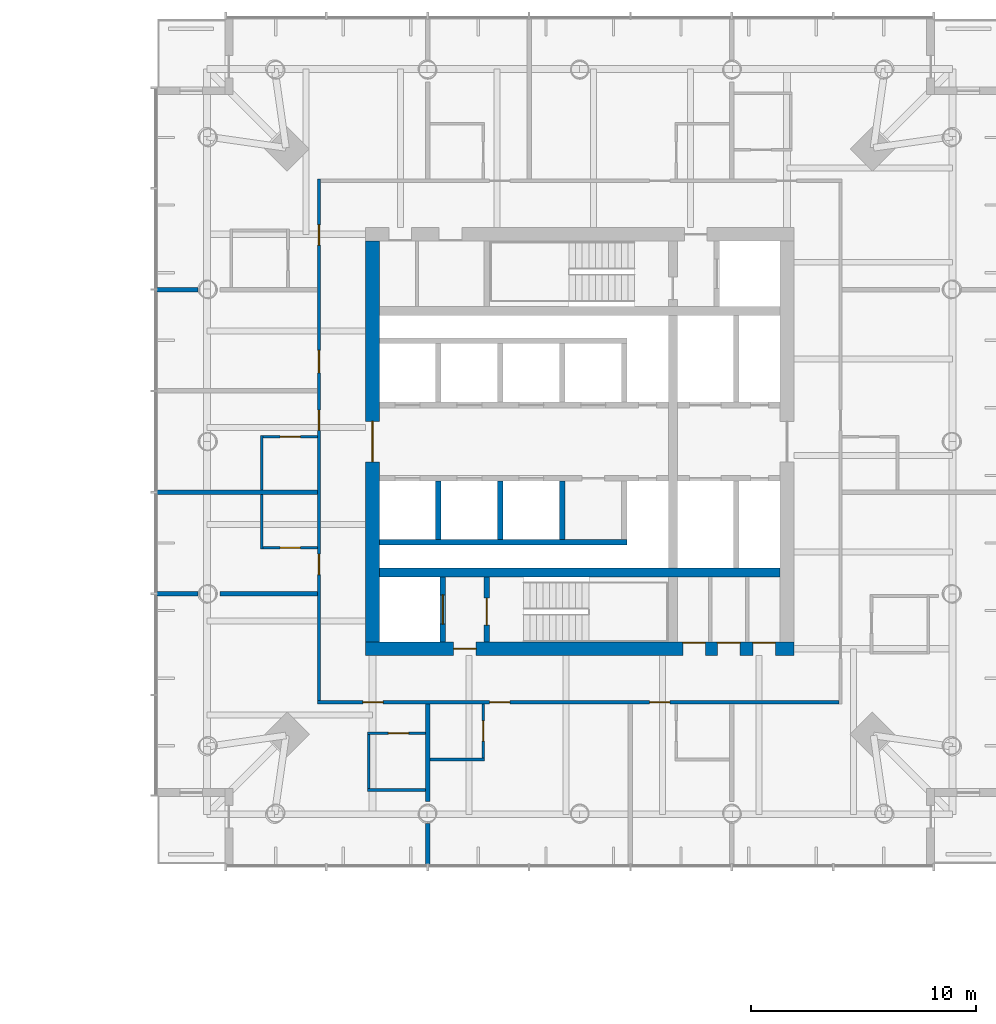
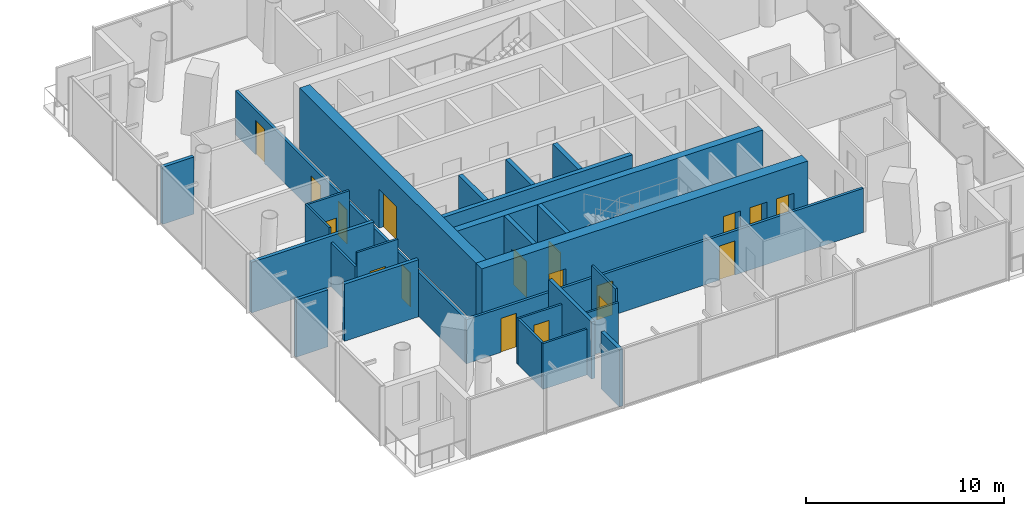
# One storey, part 16 of 24: 26 walls, 18 doors, 18 openings.
"""IFC4 building model written with IfcOpenShell, lengths in metres."""

from ifc_helpers import new_model, si_unit, direction, frame, frame_2d, origin, place, context, subcontext, project, spatial, rectangle, extrude, material, layer, layer_set, type_object, element, fill, save


model = new_model("IFC4")

# Units and contexts
model_context = context("Model", 3, precision=1e-05, world=origin(), true_north=direction((0.0, 1.0)))
body_context = subcontext(model_context, "Body", "Model", "MODEL_VIEW")
ifc_project = project(units=[si_unit("LENGTHUNIT", "METRE"), si_unit("AREAUNIT", "SQUARE_METRE"), si_unit("VOLUMEUNIT", "CUBIC_METRE"), si_unit("PLANEANGLEUNIT", "RADIAN"), si_unit("MASSUNIT", "GRAM", prefix="KILO")], contexts=[model_context])

# Site, building, storey
site_placement = place(None, origin())
site = spatial("IfcSite", under=ifc_project, at=site_placement, CompositionType="ELEMENT")
building_placement = place(site_placement, origin())
building = spatial("IfcBuilding", under=site, at=building_placement, Name="Ostroluk Exchange", CompositionType="ELEMENT")
storey_placement = place(building_placement, frame((0.0, 0.0, 78.0)))
storey = spatial("IfcBuildingStorey", under=building, at=storey_placement, Name="L19", CompositionType="ELEMENT", Elevation=78.0)

# Wall
ifc_material_1 = material(Name="Concrete C50/60", Category="concrete")
ifc_layer_1 = layer(ifc_material_1, 0.39990234375)
ifc_layer_set_1 = layer_set([ifc_layer_1], Name="Core cross wall 400 C50/60")
wall_type_1 = type_object("IfcWallType", Name="Core cross wall 400 C50/60", PredefinedType="SHEAR", material=ifc_layer_set_1)
wall_1_placement = place(storey_placement, frame((108.10009765625, 40.199951171875, 0.0), z_axis=(0.0, 0.0, 1.0), x_axis=(1.0, 0.0, 0.0)))
element("IfcWall", 1, at=wall_1_placement, inside=storey, type_object=wall_type_1, Name="T2 core wall XS", PredefinedType="SHEAR", context=body_context, shape_type="SweptSolid", body=[
    extrude(rectangle(XDim=17.7998046875, YDim=0.39990234375, at=frame_2d((8.89990234375, 0.0))), origin(), (0.0, 0.0, 1.0), 3.800048828125),
])

# Wall, opening, door
ifc_material_2 = material(Name="Concrete C40/50", Category="concrete")
ifc_layer_2 = layer(ifc_material_2, 0.25)
ifc_layer_set_2 = layer_set([ifc_layer_2], Name="Core shaft wall 250")
wall_type_2 = type_object("IfcWallType", Name="Core shaft wall 250", PredefinedType="SHEAR", material=ifc_layer_set_2)
wall_2_placement = place(storey_placement, frame((110.925048828125, 37.10009765625, 0.0), z_axis=(0.0, 0.0, 1.0), x_axis=(0.0, 1.0, 0.0)))
wall_2 = element("IfcWall", 2, at=wall_2_placement, inside=storey, type_object=wall_type_2, Name="Firefighting lift shaft wall", PredefinedType="SHEAR", context=body_context, shape_type="SweptSolid", body=[
    extrude(rectangle(XDim=2.89990234375, YDim=0.25, at=frame_2d((1.449951171875, 0.0))), origin(), (0.0, 0.0, 1.0), 3.800048828125),
])
opening_1_placement = place(wall_2_placement, frame((0.800048828125, 0.0, 0.0)))
opening_1 = element("IfcOpeningElement", 3, at=opening_1_placement, cuts=wall_2, Name="Opening LD2", PredefinedType="OPENING", context=body_context, shape_type="SweptSolid", body=[
    extrude(rectangle(XDim=1.300048828125, YDim=2.199951171875, at=frame_2d((0.64990234375, 1.10009765625))), frame((0.0, 0.135009765625, 0.0), z_axis=(0.0, -1.0, 0.0), x_axis=(1.0, 0.0, 0.0)), (0.0, 0.0, 1.0), 0.27001953125),
])
ifc_material_3 = material(Name="Stainless steel", Category="steel")
door_type_1 = type_object("IfcDoorType", Name="Lift landing door E 60 1300 x 2200", OperationType="DOUBLE_DOOR_SLIDING", PredefinedType="DOOR", material=ifc_material_3)
door_1_placement = place(opening_1_placement, origin())
door_1 = element("IfcDoor", 4, at=door_1_placement, inside=storey, type_object=door_type_1, Name="Lift HF1 landing door", OperationType="DOUBLE_DOOR_SLIDING", OverallHeight=2.199951171875, OverallWidth=1.300048828125, PredefinedType="DOOR", context=body_context, shape_type="SweptSolid", body=[
    extrude(rectangle(XDim=1.300048828125, YDim=2.199951171875, at=frame_2d((0.64990234375, 1.10009765625))), frame((0.0, 0.02490234375, 0.0), z_axis=(0.0, -1.0, 0.0), x_axis=(1.0, 0.0, 0.0)), (0.0, 0.0, 1.0), 0.050048828125),
])
fill(opening_1, door_1)

wall_3_placement = place(storey_placement, frame((112.875, 37.10009765625, 0.0), z_axis=(0.0, 0.0, 1.0), x_axis=(0.0, 1.0, 0.0)))
wall_3 = element("IfcWall", 5, at=wall_3_placement, inside=storey, type_object=wall_type_2, Name="Stair shaft wall", PredefinedType="SHEAR", context=body_context, shape_type="SweptSolid", body=[
    extrude(rectangle(XDim=2.89990234375, YDim=0.25, at=frame_2d((1.449951171875, 0.0))), origin(), (0.0, 0.0, 1.0), 3.800048828125),
])
opening_2_placement = place(wall_3_placement, frame((0.75, 0.0, 0.0)))
opening_2 = element("IfcOpeningElement", 6, at=opening_2_placement, cuts=wall_3, Name="Opening FD60S", PredefinedType="OPENING", context=body_context, shape_type="SweptSolid", body=[
    extrude(rectangle(XDim=1.199951171875, YDim=2.10009765625, at=frame_2d((0.60009765625, 1.050048828125))), frame((0.0, 0.135009765625, 0.0), z_axis=(0.0, -1.0, 0.0), x_axis=(1.0, 0.0, 0.0)), (0.0, 0.0, 1.0), 0.27001953125),
])
ifc_material_4 = material(Name="Steel", Category="steel")
door_type_2 = type_object("IfcDoorType", Name="Stair door EI 60 1200 x 2100", OperationType="SINGLE_SWING_LEFT", PredefinedType="DOOR", material=ifc_material_4)
door_2_placement = place(opening_2_placement, origin())
door_2 = element("IfcDoor", 7, at=door_2_placement, inside=storey, type_object=door_type_2, Name="Stair T2-S1 door", OperationType="SINGLE_SWING_LEFT", OverallHeight=2.10009765625, OverallWidth=1.199951171875, PredefinedType="DOOR", context=body_context, shape_type="SweptSolid", body=[
    extrude(rectangle(XDim=1.199951171875, YDim=2.10009765625, at=frame_2d((0.60009765625, 1.050048828125))), frame((0.0, 0.02490234375, 0.0), z_axis=(0.0, -1.0, 0.0), x_axis=(1.0, 0.0, 0.0)), (0.0, 0.0, 1.0), 0.050048828125),
])
fill(opening_2, door_2)

# Walls
for number, where, z_axis, x_axis, name in (
    (8, (110.72509765625, 44.25, 0.0), (0.0, 0.0, 1.0), (0.0, -1.0, 0.0), "Lift shaft wall"),
    (9, (113.47509765625, 44.25, 0.0), (0.0, 0.0, 1.0), (0.0, -1.0, 0.0), "Lift shaft wall"),
    (10, (116.22509765625, 44.25, 0.0), (0.0, 0.0, 1.0), (0.0, -1.0, 0.0), "Lift shaft wall"),
):
    element("IfcWall", number, at=place(storey_placement, frame(where, z_axis=z_axis, x_axis=x_axis)), inside=storey, type_object=wall_type_2, Name=name, PredefinedType="SHEAR", context=body_context, shape_type="SweptSolid", body=[
        extrude(rectangle(XDim=2.60009765625, YDim=0.25, at=frame_2d((1.300048828125, 0.0))), origin(), (0.0, 0.0, 1.0), 3.800048828125),
    ])
wall_4_placement = place(storey_placement, frame((108.10009765625, 41.52490234375, 0.0), z_axis=(0.0, 0.0, 1.0), x_axis=(1.0, 0.0, 0.0)))
element("IfcWall", 11, at=wall_4_placement, inside=storey, type_object=wall_type_2, Name="Lift shaft wall", PredefinedType="SHEAR", context=body_context, shape_type="SweptSolid", body=[
    extrude(rectangle(XDim=11.0, YDim=0.25, at=frame_2d((5.5, 0.0))), origin(), (0.0, 0.0, 1.0), 3.800048828125),
])

# Wall, openings, doors
ifc_material_5 = material(Name="Concrete C50/60", Category="concrete")
ifc_layer_3 = layer(ifc_material_5, 0.60009765625)
ifc_layer_set_3 = layer_set([ifc_layer_3], Name="Core wall 600 C50/60")
wall_type_3 = type_object("IfcWallType", Name="Core wall 600 C50/60", PredefinedType="SHEAR", material=ifc_layer_set_3)
wall_5_placement = place(storey_placement, frame((107.5, 36.800048828125, 0.0), z_axis=(0.0, 0.0, 1.0), x_axis=(1.0, 0.0, 0.0)))
wall_5 = element("IfcWall", 12, at=wall_5_placement, inside=storey, type_object=wall_type_3, Name="T2 core wall S", PredefinedType="SHEAR", context=body_context, shape_type="SweptSolid", body=[
    extrude(rectangle(XDim=19.0, YDim=0.60009765625, at=frame_2d((9.5, 0.0))), origin(), (0.0, 0.0, 1.0), 3.800048828125),
])
opening_3_placement = place(wall_5_placement, frame((3.89990234375, 0.0, 0.0)))
opening_3 = element("IfcOpeningElement", 13, at=opening_3_placement, cuts=wall_5, Name="Opening FD60", PredefinedType="OPENING", context=body_context, shape_type="SweptSolid", body=[
    extrude(rectangle(XDim=1.0, YDim=2.10009765625, at=frame_2d((0.5, 1.050048828125))), frame((0.0, 0.31005859375, 0.0), z_axis=(0.0, -1.0, 0.0), x_axis=(1.0, 0.0, 0.0)), (0.0, 0.0, 1.0), 0.6201171875),
])
opening_4_placement = place(wall_5_placement, frame((14.080078125, 0.0, 0.0)))
opening_4 = element("IfcOpeningElement", 14, at=opening_4_placement, cuts=wall_5, Name="Opening FD60", PredefinedType="OPENING", context=body_context, shape_type="SweptSolid", body=[
    extrude(rectangle(XDim=1.0, YDim=2.10009765625, at=frame_2d((0.5, 1.050048828125))), frame((0.0, 0.31005859375, 0.0), z_axis=(0.0, -1.0, 0.0), x_axis=(1.0, 0.0, 0.0)), (0.0, 0.0, 1.0), 0.6201171875),
])
opening_5_placement = place(wall_5_placement, frame((15.614990234375, 0.0, 0.0)))
opening_5 = element("IfcOpeningElement", 15, at=opening_5_placement, cuts=wall_5, Name="Opening FD60", PredefinedType="OPENING", context=body_context, shape_type="SweptSolid", body=[
    extrude(rectangle(XDim=1.0, YDim=2.10009765625, at=frame_2d((0.5, 1.050048828125))), frame((0.0, 0.31005859375, 0.0), z_axis=(0.0, -1.0, 0.0), x_axis=(1.0, 0.0, 0.0)), (0.0, 0.0, 1.0), 0.6201171875),
])
opening_6_placement = place(wall_5_placement, frame((17.1875, 0.0, 0.0)))
opening_6 = element("IfcOpeningElement", 16, at=opening_6_placement, cuts=wall_5, Name="Opening FD60", PredefinedType="OPENING", context=body_context, shape_type="SweptSolid", body=[
    extrude(rectangle(XDim=1.0, YDim=2.10009765625, at=frame_2d((0.5, 1.050048828125))), frame((0.0, 0.31005859375, 0.0), z_axis=(0.0, -1.0, 0.0), x_axis=(1.0, 0.0, 0.0)), (0.0, 0.0, 1.0), 0.6201171875),
])
ifc_material_6 = material(Name="Steel", Category="steel")
door_type_3 = type_object("IfcDoorType", Name="Fire door EI 60 1000 x 2100", OperationType="SINGLE_SWING_LEFT", PredefinedType="DOOR", material=ifc_material_6)
door_3_placement = place(opening_3_placement, origin())
door_3 = element("IfcDoor", 17, at=door_3_placement, inside=storey, type_object=door_type_3, Name="Firefighting lobby door", OperationType="SINGLE_SWING_LEFT", OverallHeight=2.10009765625, OverallWidth=1.0, PredefinedType="DOOR", context=body_context, shape_type="SweptSolid", body=[
    extrude(rectangle(XDim=1.0, YDim=2.10009765625, at=frame_2d((0.5, 1.050048828125))), frame((0.0, 0.02490234375, 0.0), z_axis=(0.0, -1.0, 0.0), x_axis=(1.0, 0.0, 0.0)), (0.0, 0.0, 1.0), 0.050048828125),
])
fill(opening_3, door_3)
door_4_placement = place(opening_4_placement, origin())
door_4 = element("IfcDoor", 18, at=door_4_placement, inside=storey, type_object=door_type_3, Name="Luggage store door", OperationType="SINGLE_SWING_RIGHT", OverallHeight=2.10009765625, OverallWidth=1.0, PredefinedType="DOOR", context=body_context, shape_type="SweptSolid", body=[
    extrude(rectangle(XDim=1.0, YDim=2.10009765625, at=frame_2d((0.5, 1.050048828125))), frame((0.0, 0.2900390625, 0.0), z_axis=(0.0, -1.0, 0.0), x_axis=(1.0, 0.0, 0.0)), (0.0, 0.0, 1.0), 0.050048828125),
])
fill(opening_4, door_4)
door_5_placement = place(opening_5_placement, origin())
door_5 = element("IfcDoor", 19, at=door_5_placement, inside=storey, type_object=door_type_3, Name="Comms room door", OperationType="SINGLE_SWING_RIGHT", OverallHeight=2.10009765625, OverallWidth=1.0, PredefinedType="DOOR", context=body_context, shape_type="SweptSolid", body=[
    extrude(rectangle(XDim=1.0, YDim=2.10009765625, at=frame_2d((0.5, 1.050048828125))), frame((0.0, 0.2900390625, 0.0), z_axis=(0.0, -1.0, 0.0), x_axis=(1.0, 0.0, 0.0)), (0.0, 0.0, 1.0), 0.050048828125),
])
fill(opening_5, door_5)
door_6_placement = place(opening_6_placement, origin())
door_6 = element("IfcDoor", 20, at=door_6_placement, inside=storey, type_object=door_type_3, Name="Linen store door", OperationType="SINGLE_SWING_RIGHT", OverallHeight=2.10009765625, OverallWidth=1.0, PredefinedType="DOOR", context=body_context, shape_type="SweptSolid", body=[
    extrude(rectangle(XDim=1.0, YDim=2.10009765625, at=frame_2d((0.5, 1.050048828125))), frame((0.0, 0.2900390625, 0.0), z_axis=(0.0, -1.0, 0.0), x_axis=(1.0, 0.0, 0.0)), (0.0, 0.0, 1.0), 0.050048828125),
])
fill(opening_6, door_6)

# Wall, opening, door
wall_6_placement = place(storey_placement, frame((107.800048828125, 37.10009765625, 0.0), z_axis=(0.0, 0.0, 1.0), x_axis=(0.0, 1.0, 0.0)))
wall_6 = element("IfcWall", 21, at=wall_6_placement, inside=storey, type_object=wall_type_3, Name="T2 core wall W", PredefinedType="SHEAR", context=body_context, shape_type="SweptSolid", body=[
    extrude(rectangle(XDim=17.7998046875, YDim=0.60009765625, at=frame_2d((8.89990234375, 0.0))), origin(), (0.0, 0.0, 1.0), 3.800048828125),
])
opening_7_placement = place(wall_6_placement, frame((8.0, 0.0, 0.0)))
opening_7 = element("IfcOpeningElement", 22, at=opening_7_placement, cuts=wall_6, Name="Opening FD30D", PredefinedType="OPENING", context=body_context, shape_type="SweptSolid", body=[
    extrude(rectangle(XDim=1.800048828125, YDim=2.39990234375, at=frame_2d((0.89990234375, 1.199951171875))), frame((0.0, 0.31005859375, 0.0), z_axis=(0.0, -1.0, 0.0), x_axis=(1.0, 0.0, 0.0)), (0.0, 0.0, 1.0), 0.6201171875),
])
ifc_material_7 = material(Name="Timber", Category="wood")
door_type_4 = type_object("IfcDoorType", Name="Lobby double door EI 30 1800 x 2400", OperationType="DOUBLE_DOOR_SINGLE_SWING", PredefinedType="DOOR", material=ifc_material_7)
door_7_placement = place(opening_7_placement, origin())
door_7 = element("IfcDoor", 23, at=door_7_placement, inside=storey, type_object=door_type_4, Name="Lift lobby doors", OperationType="DOUBLE_DOOR_SINGLE_SWING", OverallHeight=2.39990234375, OverallWidth=1.800048828125, PredefinedType="DOOR", context=body_context, shape_type="SweptSolid", body=[
    extrude(rectangle(XDim=1.800048828125, YDim=2.39990234375, at=frame_2d((0.89990234375, 1.199951171875))), frame((0.0, 0.02490234375, 0.0), z_axis=(0.0, -1.0, 0.0), x_axis=(1.0, 0.0, 0.0)), (0.0, 0.0, 1.0), 0.050048828125),
])
fill(opening_7, door_7)

# Wall
ifc_material_8 = material(Name="Gypsum plasterboard partition, moisture resistant", Category="gypsum")
ifc_layer_4 = layer(ifc_material_8, 0.1201171875)
ifc_layer_set_4 = layer_set([ifc_layer_4], Name="Plasterboard en-suite wall 120")
wall_type_4 = type_object("IfcWallType", Name="Plasterboard en-suite wall 120", PredefinedType="PARTITIONING", material=ifc_layer_set_4)
wall_7_placement = place(storey_placement, frame((102.889892578125, 46.27001953125, 0.0), z_axis=(0.0, 0.0, 1.0), x_axis=(0.0, -1.0, 0.0)))
element("IfcWall", 24, at=wall_7_placement, inside=storey, type_object=wall_type_4, Name="En-suite wall", PredefinedType="PARTITIONING", context=body_context, shape_type="SweptSolid", body=[
    extrude(rectangle(XDim=2.419921875, YDim=0.1201171875, at=frame_2d((1.2099609375, 0.0))), origin(), (0.0, 0.0, 1.0), 3.52001953125),
])

# Wall, opening, door
wall_8_placement = place(storey_placement, frame((105.35009765625, 46.2099609375, 0.0), z_axis=(0.0, 0.0, 1.0), x_axis=(-1.0, 0.0, 0.0)))
wall_8 = element("IfcWall", 25, at=wall_8_placement, inside=storey, type_object=wall_type_4, Name="En-suite wall", PredefinedType="PARTITIONING", context=body_context, shape_type="SweptSolid", body=[
    extrude(rectangle(XDim=2.400146484375, YDim=0.1201171875, at=frame_2d((1.2001953125, 0.0))), origin(), (0.0, 0.0, 1.0), 3.52001953125),
])
opening_8_placement = place(wall_8_placement, frame((0.75, 0.0, 0.0)))
opening_8 = element("IfcOpeningElement", 26, at=opening_8_placement, cuts=wall_8, Name="Opening D-02", PredefinedType="OPENING", context=body_context, shape_type="SweptSolid", body=[
    extrude(rectangle(XDim=0.89990234375, YDim=2.10009765625, at=frame_2d((0.449951171875, 1.050048828125))), frame((0.0, 0.070068359375, 0.0), z_axis=(0.0, -1.0, 0.0), x_axis=(1.0, 0.0, 0.0)), (0.0, 0.0, 1.0), 0.14013671875),
])
ifc_material_9 = material(Name="Timber", Category="wood")
door_type_5 = type_object("IfcDoorType", Name="En-suite door 900 x 2100", OperationType="SINGLE_SWING_LEFT", PredefinedType="DOOR", material=ifc_material_9)
door_8_placement = place(opening_8_placement, origin())
door_8 = element("IfcDoor", 27, at=door_8_placement, inside=storey, type_object=door_type_5, Name="En-suite door 1907", OperationType="SINGLE_SWING_RIGHT", OverallHeight=2.10009765625, OverallWidth=0.89990234375, PredefinedType="DOOR", context=body_context, shape_type="SweptSolid", body=[
    extrude(rectangle(XDim=0.89990234375, YDim=2.10009765625, at=frame_2d((0.449951171875, 1.050048828125))), frame((0.0, 0.02490234375, 0.0), z_axis=(0.0, -1.0, 0.0), x_axis=(1.0, 0.0, 0.0)), (0.0, 0.0, 1.0), 0.050048828125),
])
fill(opening_8, door_8)

# Wall
wall_9_placement = place(storey_placement, frame((102.889892578125, 43.64990234375, 0.0), z_axis=(0.0, 0.0, 1.0), x_axis=(0.0, -1.0, 0.0)))
element("IfcWall", 28, at=wall_9_placement, inside=storey, type_object=wall_type_4, Name="En-suite wall", PredefinedType="PARTITIONING", context=body_context, shape_type="SweptSolid", body=[
    extrude(rectangle(XDim=2.419921875, YDim=0.1201171875, at=frame_2d((1.2099609375, 0.0))), origin(), (0.0, 0.0, 1.0), 2.719970703125),
])

# Wall, opening, door
wall_10_placement = place(storey_placement, frame((105.35009765625, 41.2900390625, 0.0), z_axis=(0.0, 0.0, 1.0), x_axis=(-1.0, 0.0, 0.0)))
wall_10 = element("IfcWall", 29, at=wall_10_placement, inside=storey, type_object=wall_type_4, Name="En-suite wall", PredefinedType="PARTITIONING", context=body_context, shape_type="SweptSolid", body=[
    extrude(rectangle(XDim=2.400146484375, YDim=0.1201171875, at=frame_2d((1.2001953125, 0.0))), origin(), (0.0, 0.0, 1.0), 3.52001953125),
])
opening_9_placement = place(wall_10_placement, frame((0.75, 0.0, 0.0)))
opening_9 = element("IfcOpeningElement", 30, at=opening_9_placement, cuts=wall_10, Name="Opening D-02", PredefinedType="OPENING", context=body_context, shape_type="SweptSolid", body=[
    extrude(rectangle(XDim=0.89990234375, YDim=2.10009765625, at=frame_2d((0.449951171875, 1.050048828125))), frame((0.0, 0.070068359375, 0.0), z_axis=(0.0, -1.0, 0.0), x_axis=(1.0, 0.0, 0.0)), (0.0, 0.0, 1.0), 0.14013671875),
])
door_9_placement = place(opening_9_placement, origin())
door_9 = element("IfcDoor", 31, at=door_9_placement, inside=storey, type_object=door_type_5, Name="En-suite door 1908", OperationType="SINGLE_SWING_RIGHT", OverallHeight=2.10009765625, OverallWidth=0.89990234375, PredefinedType="DOOR", context=body_context, shape_type="SweptSolid", body=[
    extrude(rectangle(XDim=0.89990234375, YDim=2.10009765625, at=frame_2d((0.449951171875, 1.050048828125))), frame((0.0, 0.02490234375, 0.0), z_axis=(0.0, -1.0, 0.0), x_axis=(1.0, 0.0, 0.0)), (0.0, 0.0, 1.0), 0.050048828125),
])
fill(opening_9, door_9)

wall_11_placement = place(storey_placement, frame((110.14990234375, 33.050048828125, 0.0), z_axis=(0.0, 0.0, 1.0), x_axis=(-1.0, 0.0, 0.0)))
wall_11 = element("IfcWall", 32, at=wall_11_placement, inside=storey, type_object=wall_type_4, Name="En-suite wall", PredefinedType="PARTITIONING", context=body_context, shape_type="SweptSolid", body=[
    extrude(rectangle(XDim=2.579833984375, YDim=0.1201171875, at=frame_2d((1.2900390625, 0.0))), origin(), (0.0, 0.0, 1.0), 2.820068359375),
])
opening_10_placement = place(wall_11_placement, frame((0.75, 0.0, 0.0)))
opening_10 = element("IfcOpeningElement", 33, at=opening_10_placement, cuts=wall_11, Name="Opening D-02", PredefinedType="OPENING", context=body_context, shape_type="SweptSolid", body=[
    extrude(rectangle(XDim=0.89990234375, YDim=2.10009765625, at=frame_2d((0.449951171875, 1.050048828125))), frame((0.0, 0.070068359375, 0.0), z_axis=(0.0, -1.0, 0.0), x_axis=(1.0, 0.0, 0.0)), (0.0, 0.0, 1.0), 0.14013671875),
])
door_10_placement = place(opening_10_placement, origin())
door_10 = element("IfcDoor", 34, at=door_10_placement, inside=storey, type_object=door_type_5, Name="En-suite door 1909", OperationType="SINGLE_SWING_LEFT", OverallHeight=2.10009765625, OverallWidth=0.89990234375, PredefinedType="DOOR", context=body_context, shape_type="SweptSolid", body=[
    extrude(rectangle(XDim=0.89990234375, YDim=2.10009765625, at=frame_2d((0.449951171875, 1.050048828125))), frame((0.0, 0.02490234375, 0.0), z_axis=(0.0, -1.0, 0.0), x_axis=(1.0, 0.0, 0.0)), (0.0, 0.0, 1.0), 0.050048828125),
])
fill(opening_10, door_10)

# Walls
wall_12_placement = place(storey_placement, frame((110.14990234375, 30.530029296875, 0.0), z_axis=(0.0, 0.0, 1.0), x_axis=(-1.0, 0.0, 0.0)))
element("IfcWall", 35, at=wall_12_placement, inside=storey, type_object=wall_type_4, Name="En-suite wall", PredefinedType="PARTITIONING", context=body_context, shape_type="SweptSolid", body=[
    extrude(rectangle(XDim=2.579833984375, YDim=0.1201171875, at=frame_2d((1.2900390625, 0.0))), origin(), (0.0, 0.0, 1.0), 2.820068359375),
])
wall_13_placement = place(storey_placement, frame((107.6298828125, 32.989990234375, 0.0), z_axis=(0.0, 0.0, 1.0), x_axis=(0.0, -1.0, 0.0)))
element("IfcWall", 36, at=wall_13_placement, inside=storey, type_object=wall_type_4, Name="En-suite wall", PredefinedType="PARTITIONING", context=body_context, shape_type="SweptSolid", body=[
    extrude(rectangle(XDim=2.39990234375, YDim=0.1201171875, at=frame_2d((1.199951171875, 0.0))), origin(), (0.0, 0.0, 1.0), 2.820068359375),
])
wall_14_placement = place(storey_placement, frame((110.35009765625, 31.889892578125, 0.0), z_axis=(0.0, 0.0, 1.0), x_axis=(1.0, 0.0, 0.0)))
element("IfcWall", 37, at=wall_14_placement, inside=storey, type_object=wall_type_4, Name="En-suite wall", PredefinedType="PARTITIONING", context=body_context, shape_type="SweptSolid", body=[
    extrude(rectangle(XDim=2.419921875, YDim=0.1201171875, at=frame_2d((1.2099609375, 0.0))), origin(), (0.0, 0.0, 1.0), 2.719970703125),
])

# Wall, opening, door
wall_15_placement = place(storey_placement, frame((112.7099609375, 34.35009765625, 0.0), z_axis=(0.0, 0.0, 1.0), x_axis=(0.0, -1.0, 0.0)))
wall_15 = element("IfcWall", 38, at=wall_15_placement, inside=storey, type_object=wall_type_4, Name="En-suite wall", PredefinedType="PARTITIONING", context=body_context, shape_type="SweptSolid", body=[
    extrude(rectangle(XDim=2.400146484375, YDim=0.1201171875, at=frame_2d((1.2001953125, 0.0))), origin(), (0.0, 0.0, 1.0), 3.52001953125),
])
opening_11_placement = place(wall_15_placement, frame((0.75, 0.0, 0.0)))
opening_11 = element("IfcOpeningElement", 39, at=opening_11_placement, cuts=wall_15, Name="Opening D-02", PredefinedType="OPENING", context=body_context, shape_type="SweptSolid", body=[
    extrude(rectangle(XDim=0.89990234375, YDim=2.10009765625, at=frame_2d((0.449951171875, 1.050048828125))), frame((0.0, 0.070068359375, 0.0), z_axis=(0.0, -1.0, 0.0), x_axis=(1.0, 0.0, 0.0)), (0.0, 0.0, 1.0), 0.14013671875),
])
door_11_placement = place(opening_11_placement, origin())
door_11 = element("IfcDoor", 40, at=door_11_placement, inside=storey, type_object=door_type_5, Name="En-suite door 1910", OperationType="SINGLE_SWING_LEFT", OverallHeight=2.10009765625, OverallWidth=0.89990234375, PredefinedType="DOOR", context=body_context, shape_type="SweptSolid", body=[
    extrude(rectangle(XDim=0.89990234375, YDim=2.10009765625, at=frame_2d((0.449951171875, 1.050048828125))), frame((0.0, 0.02490234375, 0.0), z_axis=(0.0, -1.0, 0.0), x_axis=(1.0, 0.0, 0.0)), (0.0, 0.0, 1.0), 0.050048828125),
])
fill(opening_11, door_11)

# Wall, openings, doors
ifc_material_10 = material(Name="Gypsum plasterboard partition", Category="gypsum")
ifc_layer_5 = layer(ifc_material_10, 0.14990234375)
ifc_layer_set_5 = layer_set([ifc_layer_5], Name="Plasterboard partition 150")
wall_type_5 = type_object("IfcWallType", Name="Plasterboard partition 150", PredefinedType="PARTITIONING", material=ifc_layer_set_5)
wall_16_placement = place(storey_placement, frame((105.425048828125, 57.64990234375, 0.0), z_axis=(0.0, 0.0, 1.0), x_axis=(0.0, -1.0, 0.0)))
wall_16 = element("IfcWall", 41, at=wall_16_placement, inside=storey, type_object=wall_type_5, Name="Corridor wall", PredefinedType="PARTITIONING", context=body_context, shape_type="SweptSolid", body=[
    extrude(rectangle(XDim=23.14990234375, YDim=0.14990234375, at=frame_2d((11.574951171875, 0.0))), origin(), (0.0, 0.0, 1.0), 2.719970703125),
])
opening_12_placement = place(wall_16_placement, frame((2.02490234375, 0.0, 0.0)))
opening_12 = element("IfcOpeningElement", 42, at=opening_12_placement, cuts=wall_16, Name="Opening D-01", PredefinedType="OPENING", context=body_context, shape_type="SweptSolid", body=[
    extrude(rectangle(XDim=0.89990234375, YDim=2.10009765625, at=frame_2d((0.449951171875, 1.050048828125))), frame((0.0, 0.0849609375, 0.0), z_axis=(0.0, -1.0, 0.0), x_axis=(1.0, 0.0, 0.0)), (0.0, 0.0, 1.0), 0.169921875),
])
opening_13_placement = place(wall_16_placement, frame((7.60009765625, 0.0, 0.0)))
opening_13 = element("IfcOpeningElement", 43, at=opening_13_placement, cuts=wall_16, Name="Opening D-03", PredefinedType="OPENING", context=body_context, shape_type="SweptSolid", body=[
    extrude(rectangle(XDim=1.0, YDim=2.10009765625, at=frame_2d((0.5, 1.050048828125))), frame((0.0, 0.0849609375, 0.0), z_axis=(0.0, -1.0, 0.0), x_axis=(1.0, 0.0, 0.0)), (0.0, 0.0, 1.0), 0.169921875),
])
opening_14_placement = place(wall_16_placement, frame((10.25, 0.0, 0.0)))
opening_14 = element("IfcOpeningElement", 44, at=opening_14_placement, cuts=wall_16, Name="Opening D-01", PredefinedType="OPENING", context=body_context, shape_type="SweptSolid", body=[
    extrude(rectangle(XDim=0.89990234375, YDim=2.10009765625, at=frame_2d((0.449951171875, 1.050048828125))), frame((0.0, 0.0849609375, 0.0), z_axis=(0.0, -1.0, 0.0), x_axis=(1.0, 0.0, 0.0)), (0.0, 0.0, 1.0), 0.169921875),
])
opening_15_placement = place(wall_16_placement, frame((16.64990234375, 0.0, 0.0)))
opening_15 = element("IfcOpeningElement", 45, at=opening_15_placement, cuts=wall_16, Name="Opening D-01", PredefinedType="OPENING", context=body_context, shape_type="SweptSolid", body=[
    extrude(rectangle(XDim=0.89990234375, YDim=2.10009765625, at=frame_2d((0.449951171875, 1.050048828125))), frame((0.0, 0.0849609375, 0.0), z_axis=(0.0, -1.0, 0.0), x_axis=(1.0, 0.0, 0.0)), (0.0, 0.0, 1.0), 0.169921875),
])
ifc_material_11 = material(Name="Timber", Category="wood")
door_type_6 = type_object("IfcDoorType", Name="Hotel room door EI 30 Sa 900 x 2100", OperationType="SINGLE_SWING_LEFT", PredefinedType="DOOR", material=ifc_material_11)
door_12_placement = place(opening_12_placement, origin())
door_12 = element("IfcDoor", 46, at=door_12_placement, inside=storey, type_object=door_type_6, Name="Room door 1906", OperationType="SINGLE_SWING_LEFT", OverallHeight=2.10009765625, OverallWidth=0.89990234375, PredefinedType="DOOR", context=body_context, shape_type="SweptSolid", body=[
    extrude(rectangle(XDim=0.89990234375, YDim=2.10009765625, at=frame_2d((0.449951171875, 1.050048828125))), frame((0.0, 0.02490234375, 0.0), z_axis=(0.0, -1.0, 0.0), x_axis=(1.0, 0.0, 0.0)), (0.0, 0.0, 1.0), 0.050048828125),
])
fill(opening_12, door_12)
door_13_placement = place(opening_14_placement, origin())
door_13 = element("IfcDoor", 47, at=door_13_placement, inside=storey, type_object=door_type_6, Name="Room door 1907", OperationType="SINGLE_SWING_LEFT", OverallHeight=2.10009765625, OverallWidth=0.89990234375, PredefinedType="DOOR", context=body_context, shape_type="SweptSolid", body=[
    extrude(rectangle(XDim=0.89990234375, YDim=2.10009765625, at=frame_2d((0.449951171875, 1.050048828125))), frame((0.0, 0.02490234375, 0.0), z_axis=(0.0, -1.0, 0.0), x_axis=(1.0, 0.0, 0.0)), (0.0, 0.0, 1.0), 0.050048828125),
])
fill(opening_14, door_13)
door_14_placement = place(opening_15_placement, origin())
door_14 = element("IfcDoor", 48, at=door_14_placement, inside=storey, type_object=door_type_6, Name="Room door 1908", OperationType="SINGLE_SWING_RIGHT", OverallHeight=2.10009765625, OverallWidth=0.89990234375, PredefinedType="DOOR", context=body_context, shape_type="SweptSolid", body=[
    extrude(rectangle(XDim=0.89990234375, YDim=2.10009765625, at=frame_2d((0.449951171875, 1.050048828125))), frame((0.0, 0.02490234375, 0.0), z_axis=(0.0, -1.0, 0.0), x_axis=(1.0, 0.0, 0.0)), (0.0, 0.0, 1.0), 0.050048828125),
])
fill(opening_15, door_14)
ifc_material_12 = material(Name="Timber", Category="wood")
door_type_7 = type_object("IfcDoorType", Name="Internal door 1000 x 2100", OperationType="SINGLE_SWING_LEFT", PredefinedType="DOOR", material=ifc_material_12)
door_15_placement = place(opening_13_placement, origin())
door_15 = element("IfcDoor", 49, at=door_15_placement, inside=storey, type_object=door_type_7, Name="Housekeeping store door", OperationType="SINGLE_SWING_LEFT", OverallHeight=2.10009765625, OverallWidth=1.0, PredefinedType="DOOR", context=body_context, shape_type="SweptSolid", body=[
    extrude(rectangle(XDim=1.0, YDim=2.10009765625, at=frame_2d((0.5, 1.050048828125))), frame((0.0, 0.02490234375, 0.0), z_axis=(0.0, -1.0, 0.0), x_axis=(1.0, 0.0, 0.0)), (0.0, 0.0, 1.0), 0.050048828125),
])
fill(opening_13, door_15)

wall_17_placement = place(storey_placement, frame((105.35009765625, 34.425048828125, 0.0), z_axis=(0.0, 0.0, 1.0), x_axis=(1.0, 0.0, 0.0)))
wall_17 = element("IfcWall", 50, at=wall_17_placement, inside=storey, type_object=wall_type_5, Name="Corridor wall", PredefinedType="PARTITIONING", context=body_context, shape_type="SweptSolid", body=[
    extrude(rectangle(XDim=23.14990234375, YDim=0.14990234375, at=frame_2d((11.574951171875, 0.0))), origin(), (0.0, 0.0, 1.0), 2.719970703125),
])
opening_16_placement = place(wall_17_placement, frame((2.02490234375, 0.0, 0.0)))
opening_16 = element("IfcOpeningElement", 51, at=opening_16_placement, cuts=wall_17, Name="Opening D-01", PredefinedType="OPENING", context=body_context, shape_type="SweptSolid", body=[
    extrude(rectangle(XDim=0.89990234375, YDim=2.10009765625, at=frame_2d((0.449951171875, 1.050048828125))), frame((0.0, 0.0849609375, 0.0), z_axis=(0.0, -1.0, 0.0), x_axis=(1.0, 0.0, 0.0)), (0.0, 0.0, 1.0), 0.169921875),
])
opening_17_placement = place(wall_17_placement, frame((7.64990234375, 0.0, 0.0)))
opening_17 = element("IfcOpeningElement", 52, at=opening_17_placement, cuts=wall_17, Name="Opening D-01", PredefinedType="OPENING", context=body_context, shape_type="SweptSolid", body=[
    extrude(rectangle(XDim=0.89990234375, YDim=2.10009765625, at=frame_2d((0.449951171875, 1.050048828125))), frame((0.0, 0.0849609375, 0.0), z_axis=(0.0, -1.0, 0.0), x_axis=(1.0, 0.0, 0.0)), (0.0, 0.0, 1.0), 0.169921875),
])
opening_18_placement = place(wall_17_placement, frame((14.75, 0.0, 0.0)))
opening_18 = element("IfcOpeningElement", 53, at=opening_18_placement, cuts=wall_17, Name="Opening D-01", PredefinedType="OPENING", context=body_context, shape_type="SweptSolid", body=[
    extrude(rectangle(XDim=0.89990234375, YDim=2.10009765625, at=frame_2d((0.449951171875, 1.050048828125))), frame((0.0, 0.0849609375, 0.0), z_axis=(0.0, -1.0, 0.0), x_axis=(1.0, 0.0, 0.0)), (0.0, 0.0, 1.0), 0.169921875),
])
door_16_placement = place(opening_16_placement, origin())
door_16 = element("IfcDoor", 54, at=door_16_placement, inside=storey, type_object=door_type_6, Name="Room door 1909", OperationType="SINGLE_SWING_LEFT", OverallHeight=2.10009765625, OverallWidth=0.89990234375, PredefinedType="DOOR", context=body_context, shape_type="SweptSolid", body=[
    extrude(rectangle(XDim=0.89990234375, YDim=2.10009765625, at=frame_2d((0.449951171875, 1.050048828125))), frame((0.0, 0.02490234375, 0.0), z_axis=(0.0, -1.0, 0.0), x_axis=(1.0, 0.0, 0.0)), (0.0, 0.0, 1.0), 0.050048828125),
])
fill(opening_16, door_16)
door_17_placement = place(opening_17_placement, origin())
door_17 = element("IfcDoor", 55, at=door_17_placement, inside=storey, type_object=door_type_6, Name="Room door 1910", OperationType="SINGLE_SWING_LEFT", OverallHeight=2.10009765625, OverallWidth=0.89990234375, PredefinedType="DOOR", context=body_context, shape_type="SweptSolid", body=[
    extrude(rectangle(XDim=0.89990234375, YDim=2.10009765625, at=frame_2d((0.449951171875, 1.050048828125))), frame((0.0, 0.02490234375, 0.0), z_axis=(0.0, -1.0, 0.0), x_axis=(1.0, 0.0, 0.0)), (0.0, 0.0, 1.0), 0.050048828125),
])
fill(opening_17, door_17)
door_18_placement = place(opening_18_placement, origin())
door_18 = element("IfcDoor", 56, at=door_18_placement, inside=storey, type_object=door_type_6, Name="Room door 1911", OperationType="SINGLE_SWING_RIGHT", OverallHeight=2.10009765625, OverallWidth=0.89990234375, PredefinedType="DOOR", context=body_context, shape_type="SweptSolid", body=[
    extrude(rectangle(XDim=0.89990234375, YDim=2.10009765625, at=frame_2d((0.449951171875, 1.050048828125))), frame((0.0, 0.02490234375, 0.0), z_axis=(0.0, -1.0, 0.0), x_axis=(1.0, 0.0, 0.0)), (0.0, 0.0, 1.0), 0.050048828125),
])
fill(opening_18, door_18)

# Walls
ifc_material_13 = material(Name="Gypsum plasterboard partition", Category="gypsum")
ifc_layer_6 = layer(ifc_material_13, 0.199951171875)
ifc_layer_set_6 = layer_set([ifc_layer_6], Name="Plasterboard party wall 200")
wall_type_6 = type_object("IfcWallType", Name="Plasterboard party wall 200", PredefinedType="PARTITIONING", material=ifc_layer_set_6)
wall_18_placement = place(storey_placement, frame((100.05029296875, 52.75, 0.0), z_axis=(0.0, 0.0, 1.0), x_axis=(-1.0, 0.0, 0.0)))
element("IfcWall", 57, at=wall_18_placement, inside=storey, type_object=wall_type_6, Name="Party wall", PredefinedType="PARTITIONING", context=body_context, shape_type="SweptSolid", body=[
    extrude(rectangle(XDim=1.84033203125, YDim=0.199951171875, at=frame_2d((0.920166015625, 0.0))), origin(), (0.0, 0.0, 1.0), 3.52001953125),
])
wall_19_placement = place(storey_placement, frame((105.35009765625, 43.75, 0.0), z_axis=(0.0, 0.0, 1.0), x_axis=(-1.0, 0.0, 0.0)))
element("IfcWall", 58, at=wall_19_placement, inside=storey, type_object=wall_type_6, Name="Party wall", PredefinedType="PARTITIONING", context=body_context, shape_type="SweptSolid", body=[
    extrude(rectangle(XDim=7.14013671875, YDim=0.199951171875, at=frame_2d((3.570068359375, 0.0))), origin(), (0.0, 0.0, 1.0), 3.1201171875),
])
wall_20_placement = place(storey_placement, frame((105.35009765625, 39.25, 0.0), z_axis=(0.0, 0.0, 1.0), x_axis=(-1.0, 0.0, 0.0)))
element("IfcWall", 59, at=wall_20_placement, inside=storey, type_object=wall_type_6, Name="Party wall", PredefinedType="PARTITIONING", context=body_context, shape_type="SweptSolid", body=[
    extrude(rectangle(XDim=4.322998046875, YDim=0.199951171875, at=frame_2d((2.16162109375, 0.0))), origin(), (0.0, 0.0, 1.0), 3.52001953125),
])
wall_21_placement = place(storey_placement, frame((100.05029296875, 39.25, 0.0), z_axis=(0.0, 0.0, 1.0), x_axis=(-1.0, 0.0, 0.0)))
element("IfcWall", 60, at=wall_21_placement, inside=storey, type_object=wall_type_6, Name="Party wall", PredefinedType="PARTITIONING", context=body_context, shape_type="SweptSolid", body=[
    extrude(rectangle(XDim=1.84033203125, YDim=0.199951171875, at=frame_2d((0.920166015625, 0.0))), origin(), (0.0, 0.0, 1.0), 3.52001953125),
])
wall_22_placement = place(storey_placement, frame((110.25, 34.35009765625, 0.0), z_axis=(0.0, 0.0, 1.0), x_axis=(0.0, -1.0, 0.0)))
element("IfcWall", 61, at=wall_22_placement, inside=storey, type_object=wall_type_6, Name="Party wall", PredefinedType="PARTITIONING", context=body_context, shape_type="SweptSolid", body=[
    extrude(rectangle(XDim=4.322998046875, YDim=0.199951171875, at=frame_2d((2.16162109375, 0.0))), origin(), (0.0, 0.0, 1.0), 3.52001953125),
])
wall_23_placement = place(storey_placement, frame((110.25, 29.05029296875, 0.0), z_axis=(0.0, 0.0, 1.0), x_axis=(0.0, -1.0, 0.0)))
element("IfcWall", 62, at=wall_23_placement, inside=storey, type_object=wall_type_6, Name="Party wall", PredefinedType="PARTITIONING", context=body_context, shape_type="SweptSolid", body=[
    extrude(rectangle(XDim=1.84033203125, YDim=0.199951171875, at=frame_2d((0.920166015625, 0.0))), origin(), (0.0, 0.0, 1.0), 3.52001953125),
])

save(model, "model.ifc")
